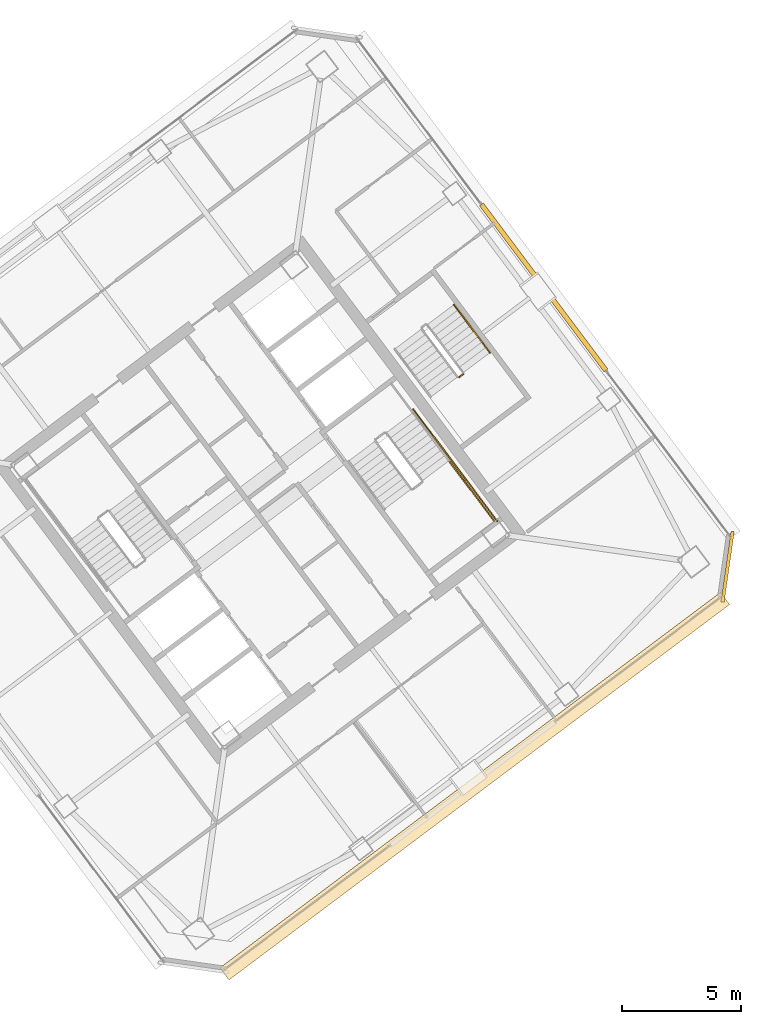
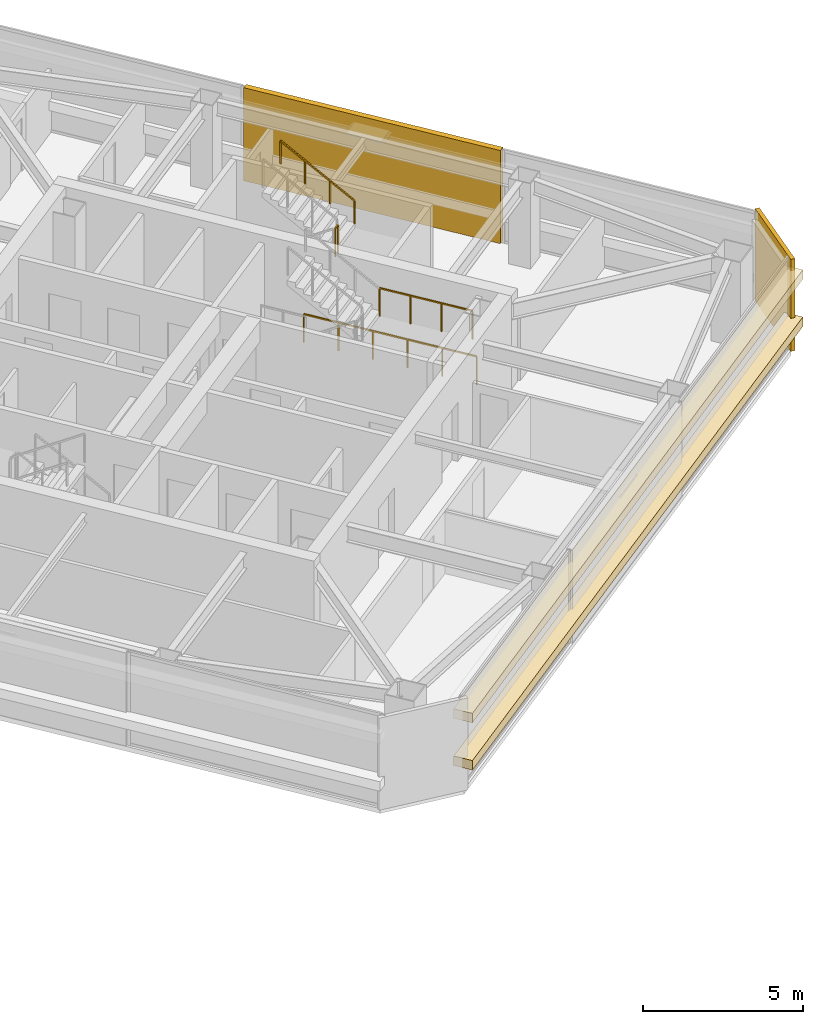
# One storey, part 38 of 39: 4 coverings, 4 railings.
"""IFC4 building model written with IfcOpenShell, lengths in metres."""

from ifc_helpers import new_model, si_unit, direction, frame, origin, origin_2d, place, context, subcontext, project, spatial, rectangle, extrude, material, layer, layer_set, type_object, element, save


model = new_model("IFC4")

# Units and contexts
model_context = context("Model", 3, precision=1e-05, world=origin(), true_north=direction((0.0, 1.0)))
body_context = subcontext(model_context, "Body", "Model", "MODEL_VIEW")
ifc_project = project(units=[si_unit("LENGTHUNIT", "METRE"), si_unit("AREAUNIT", "SQUARE_METRE"), si_unit("VOLUMEUNIT", "CUBIC_METRE"), si_unit("PLANEANGLEUNIT", "RADIAN"), si_unit("MASSUNIT", "GRAM", prefix="KILO")], contexts=[model_context])

# Site, building, storey
site_placement = place(None, origin())
site = spatial("IfcSite", under=ifc_project, at=site_placement, CompositionType="ELEMENT")
building_placement = place(site_placement, origin())
building = spatial("IfcBuilding", under=site, at=building_placement, Name="Tashvorn Skyway Center", CompositionType="ELEMENT")
storey_placement = place(building_placement, frame((0.0, 0.0, 243.25)))
storey = spatial("IfcBuildingStorey", under=building, at=storey_placement, Name="L66", CompositionType="ELEMENT", Elevation=243.25)

# Coverings
ifc_material_1 = material(Name="Precast concrete C40/50", Category="concrete")
ifc_layer_1 = layer(ifc_material_1, 0.199951171875)
ifc_layer_set_1 = layer_set([ifc_layer_1], Name="Precast concrete C40/50")
covering_type_1 = type_object("IfcCoveringType", Name="COV-BRACE-CLAD", PredefinedType="CLADDING", material=ifc_layer_set_1)
covering_1_placement = place(storey_placement, frame((125.904052734375, 40.927978515625, 0.0), z_axis=(0.0, 0.0, 1.0), x_axis=(0.600000004945, -0.799999996291, 0.0)))
element("IfcCovering", 1, at=covering_1_placement, inside=storey, type_object=covering_type_1, Name="Tower 2 L66 East Unitised Curtain Wall Mega-Brace Cladding Band 1", PredefinedType="CLADDING", context=body_context, shape_type="SweptSolid", body=[
    extrude(rectangle(XDim=8.719970703125, YDim=0.199951171875, at=origin_2d()), origin(), (0.0, 0.0, 1.0), 3.550048828125),
])
ifc_material_2 = material(Name="Perforated ceramic-coated bronze aluminium solar screen", Category="aluminium")
ifc_layer_2 = layer(ifc_material_2, 0.85009765625)
ifc_layer_set_2 = layer_set([ifc_layer_2], Name="Perforated ceramic-coated bronze aluminium solar screen")
covering_type_2 = type_object("IfcCoveringType", Name="COV-SOLAR-BAND", PredefinedType="CLADDING", material=ifc_layer_set_2)
for number, where, z_axis, x_axis, name in (
    (2, (123.011962890625, 19.98388671875, 0.919921875), (0.0, 0.0, 1.0), (-0.799999996291, -0.600000004945, 0.0), "L66 Perforated Ceramic-Metal Solar Screen Louvre Band South 1"),
    (3, (123.011962890625, 19.98388671875, 2.7197265625), (0.0, 0.0, 1.0), (-0.799999996291, -0.600000004945, 0.0), "L66 Perforated Ceramic-Metal Solar Screen Louvre Band South 2"),
):
    element("IfcCovering", number, at=place(storey_placement, frame(where, z_axis=z_axis, x_axis=x_axis)), inside=storey, type_object=covering_type_2, Name=name, PredefinedType="CLADDING", context=body_context, shape_type="SweptSolid", body=[
        extrude(rectangle(XDim=26.280029296875, YDim=0.639892578125, at=origin_2d()), origin(), (0.0, 0.0, 1.0), 0.360107421875),
    ])
ifc_layer_3 = layer(ifc_material_1, 0.35009765625)
ifc_layer_set_3 = layer_set([ifc_layer_3], Name="Precast concrete C40/50")
covering_type_3 = type_object("IfcCoveringType", Name="COV-STONE-TRIM", PredefinedType="CLADDING", material=ifc_layer_set_3)
covering_2_placement = place(storey_placement, frame((133.6279296875, 29.196044921875, 0.02001953125), z_axis=(0.0, 0.0, 1.0), x_axis=(0.141421350118, 0.989949494535, 0.0)))
element("IfcCovering", 4, at=covering_2_placement, inside=storey, type_object=covering_type_3, Name="Tower 2 L66 SE Mojave Limestone Corner Quoin", PredefinedType="CLADDING", context=body_context, shape_type="SweptSolid", body=[
    extrude(rectangle(XDim=2.98828125, YDim=0.139892578125, at=origin_2d()), origin(), (0.0, 0.0, 1.0), 3.510009765625),
])

# Railings
ifc_material_3 = material(Name="Brushed stainless steel 316", Category="steel")
railing_type_1 = type_object("IfcRailingType", Name="RAIL-HAND-920", PredefinedType="HANDRAIL", material=ifc_material_3)
railing_1_placement = place(storey_placement, frame((123.64794921875, 38.18603515625, 1.952392578125)))
element("IfcRailing", 5, at=railing_1_placement, inside=storey, type_object=railing_type_1, Name="L66 ST-T2-3 stair handrail 2", PredefinedType="HANDRAIL", context=body_context, shape_type="SweptSolid", body=[
    extrude(rectangle(XDim=0.048095703125, YDim=0.048095703125, at=origin_2d()), frame((0.0, 0.0, 0.8759765625), z_axis=(-0.50674661542, 0.675634878657, 0.535467439255), x_axis=(-0.79998837352, -0.60001550166, 0.0)), (0.0, 0.0, 1.0), 2.983642578125),
    extrude(rectangle(XDim=0.0419921875, YDim=0.0419921875, at=origin_2d()), origin(), (0.0, 0.0, 1.0), 0.851806640625),
    extrude(rectangle(XDim=0.0419921875, YDim=0.0419921875, at=origin_2d()), frame((-0.50390625, 0.671875, 0.532470703125)), (0.0, 0.0, 1.0), 0.851806640625),
    extrude(rectangle(XDim=0.0419921875, YDim=0.0419921875, at=origin_2d()), frame((-1.008056640625, 1.343994140625, 1.065185546875)), (0.0, 0.0, 1.0), 0.851806640625),
    extrude(rectangle(XDim=0.0419921875, YDim=0.0419921875, at=origin_2d()), frame((-1.511962890625, 2.015869140625, 1.59765625)), (0.0, 0.0, 1.0), 0.851806640625),
])
ifc_material_4 = material(Name="Painted galvanized steel S355", Category="steel")
railing_type_2 = type_object("IfcRailingType", Name="RAIL-STGUARD-1100", PredefinedType="GUARDRAIL", material=ifc_material_4)
railing_2_placement = place(storey_placement, frame((121.927978515625, 33.64599609375, 1.77490234375)))
element("IfcRailing", 6, at=railing_2_placement, inside=storey, type_object=railing_type_2, Name="L66 ST-T2-2 stair guard 3", PredefinedType="GUARDRAIL", context=body_context, shape_type="SweptSolid", body=[
    extrude(rectangle(XDim=0.048095703125, YDim=0.048095703125, at=origin_2d()), frame((0.0, 0.0, 1.076171875), z_axis=(0.599987638607, -0.800009270896, 0.0), x_axis=(0.800009270896, 0.599987638607, 0.0)), (0.0, 0.0, 1.0), 3.16015625),
    extrude(rectangle(XDim=0.0419921875, YDim=0.0419921875, at=origin_2d()), origin(), (0.0, 0.0, 1.0), 1.052001953125),
    extrude(rectangle(XDim=0.0419921875, YDim=0.0419921875, at=origin_2d()), frame((0.632080078125, -0.8427734375, 0.0)), (0.0, 0.0, 1.0), 1.052001953125),
    extrude(rectangle(XDim=0.0419921875, YDim=0.0419921875, at=origin_2d()), frame((1.263916015625, -1.685302734375, 0.0)), (0.0, 0.0, 1.0), 1.052001953125),
    extrude(rectangle(XDim=0.0419921875, YDim=0.0419921875, at=origin_2d()), frame((1.89599609375, -2.528076171875, 0.0)), (0.0, 0.0, 1.0), 1.052001953125),
])
railing_3_placement = place(storey_placement, frame((120.43603515625, 35.802001953125, 0.0)))
element("IfcRailing", 7, at=railing_3_placement, inside=storey, type_object=railing_type_2, Name="L66 ST-T2-2 stair guard 7", PredefinedType="GUARDRAIL", context=body_context, shape_type="SweptSolid", body=[
    extrude(rectangle(XDim=0.048095703125, YDim=0.048095703125, at=origin_2d()), frame((0.0, 0.0, 1.076171875), z_axis=(0.6, -0.8, 0.0), x_axis=(0.8, 0.6, 0.0)), (0.0, 0.0, 1.0), 5.880126953125),
    extrude(rectangle(XDim=0.0419921875, YDim=0.0419921875, at=origin_2d()), origin(), (0.0, 0.0, 1.0), 1.052001953125),
    extrude(rectangle(XDim=0.0419921875, YDim=0.0419921875, at=origin_2d()), frame((0.70556640625, -0.94091796875, 0.0)), (0.0, 0.0, 1.0), 1.052001953125),
    extrude(rectangle(XDim=0.0419921875, YDim=0.0419921875, at=origin_2d()), frame((1.4111328125, -1.881591796875, 0.0)), (0.0, 0.0, 1.0), 1.052001953125),
    extrude(rectangle(XDim=0.0419921875, YDim=0.0419921875, at=origin_2d()), frame((2.116943359375, -2.822509765625, 0.0)), (0.0, 0.0, 1.0), 1.052001953125),
    extrude(rectangle(XDim=0.0419921875, YDim=0.0419921875, at=origin_2d()), frame((2.822509765625, -3.76318359375, 0.0)), (0.0, 0.0, 1.0), 1.052001953125),
    extrude(rectangle(XDim=0.0419921875, YDim=0.0419921875, at=origin_2d()), frame((3.528076171875, -4.7041015625, 0.0)), (0.0, 0.0, 1.0), 1.052001953125),
])
railing_4_placement = place(storey_placement, frame((122.35791015625, 37.156005859375, 1.77490234375)))
element("IfcRailing", 8, at=railing_4_placement, inside=storey, type_object=railing_type_2, Name="L66 ST-T2-3 stair guard 2", PredefinedType="GUARDRAIL", context=body_context, shape_type="SweptSolid", body=[
    extrude(rectangle(XDim=0.048095703125, YDim=0.048095703125, at=origin_2d()), frame((0.0, 0.0, 1.076171875), z_axis=(0.800585412921, 0.599218655098, 0.0), x_axis=(-0.599218655098, 0.800585412921, 0.0)), (0.0, 0.0, 1.0), 0.199951171875),
    extrude(rectangle(XDim=0.0419921875, YDim=0.0419921875, at=origin_2d()), origin(), (0.0, 0.0, 1.0), 1.052001953125),
    extrude(rectangle(XDim=0.0419921875, YDim=0.0419921875, at=origin_2d()), frame((0.16015625, 0.119873046875, 0.0)), (0.0, 0.0, 1.0), 1.052001953125),
])

save(model, "model.ifc")
